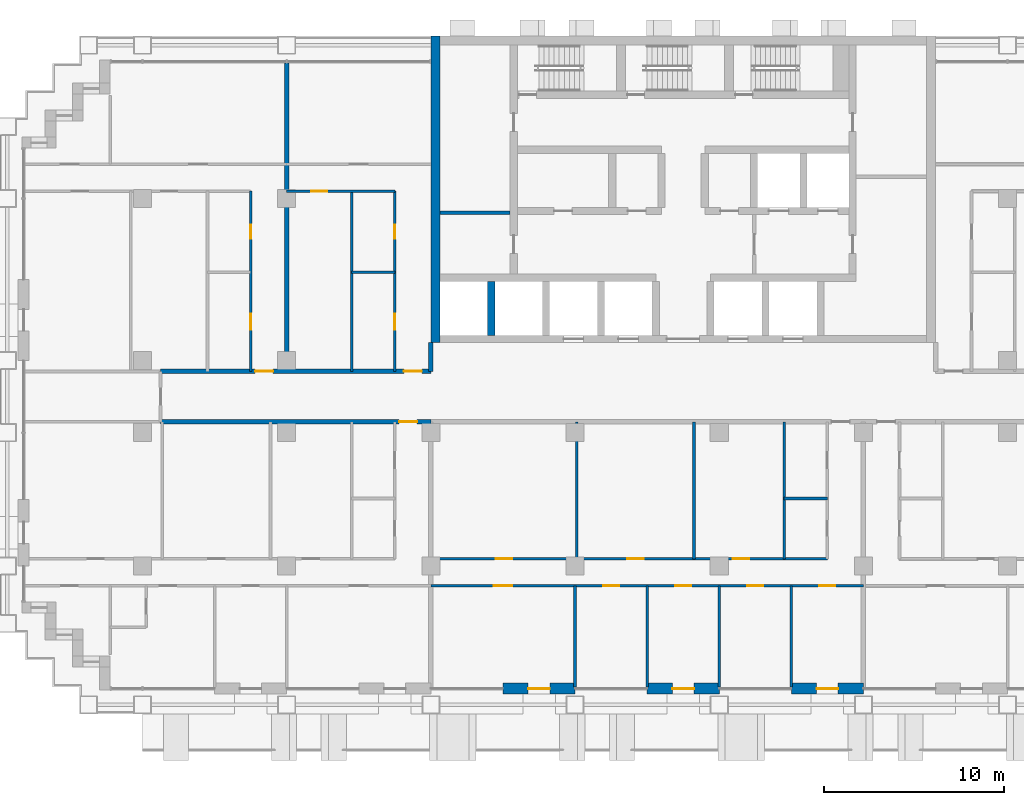
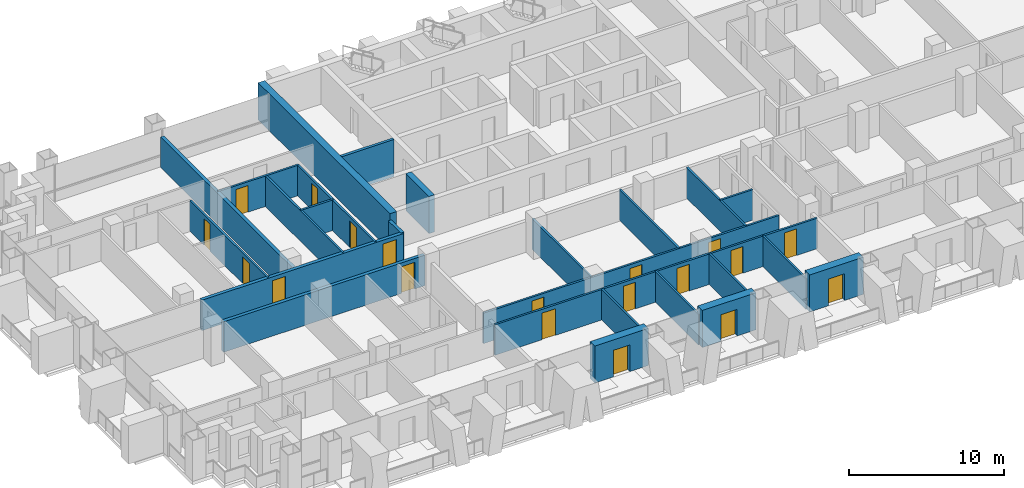
# One storey, part 10 of 18: 25 walls, 19 doors, 19 openings.
"""IFC4 building model written with IfcOpenShell, lengths in metres."""

from ifc_helpers import new_model, si_unit, direction, frame, frame_2d, origin, place, context, subcontext, project, spatial, rectangle, extrude, material, layer, layer_set, type_object, element, fill, save


model = new_model("IFC4")

# Units and contexts
model_context = context("Model", 3, precision=1e-05, world=origin(), true_north=direction((0.0, 1.0)))
body_context = subcontext(model_context, "Body", "Model", "MODEL_VIEW")
ifc_project = project(units=[si_unit("LENGTHUNIT", "METRE"), si_unit("AREAUNIT", "SQUARE_METRE"), si_unit("VOLUMEUNIT", "CUBIC_METRE"), si_unit("PLANEANGLEUNIT", "RADIAN"), si_unit("MASSUNIT", "GRAM", prefix="KILO")], contexts=[model_context])

# Site, building, storey
site_placement = place(None, origin())
site = spatial("IfcSite", under=ifc_project, at=site_placement, CompositionType="ELEMENT")
building_placement = place(site_placement, origin())
building = spatial("IfcBuilding", under=site, at=building_placement, Name="Vidyagriha Tower", CompositionType="ELEMENT")
storey_placement = place(building_placement, frame((0.0, 0.0, 51.199951171875)))
storey = spatial("IfcBuildingStorey", under=building, at=storey_placement, Name="L13", CompositionType="ELEMENT", Elevation=51.199951171875)

# Wall, opening, door
ifc_material_1 = material(Name="Precast concrete C40/50 with brick facing", Category="concrete")
ifc_layer_1 = layer(ifc_material_1, 0.60009765625)
ifc_layer_set_1 = layer_set([ifc_layer_1], Name="Precast concrete C40/50 with brick facing")
wall_type_1 = type_object("IfcWallType", Name="Brick-faced precast wall 600", PredefinedType="STANDARD", material=ifc_layer_set_1)
wall_1_placement = place(storey_placement, frame((-10.0, -16.199951171875, 0.0)))
wall_1 = element("IfcWall", 1, at=wall_1_placement, inside=storey, type_object=wall_type_1, Name="Brick door bay wall L13 R23.7", PredefinedType="STANDARD", context=body_context, shape_type="SweptSolid", body=[
    extrude(rectangle(XDim=4.0, YDim=0.60009765625, at=frame_2d((2.0, 0.0))), origin(), (0.0, 0.0, 1.0), 2.920166015625),
])
opening_1_placement = place(wall_1_placement, frame((1.39990234375, 0.0, 0.0)))
opening_1 = element("IfcOpeningElement", 2, at=opening_1_placement, cuts=wall_1, Name="Opening D13-75", PredefinedType="OPENING", context=body_context, shape_type="SweptSolid", body=[
    extrude(rectangle(XDim=1.199951171875, YDim=2.10009765625, at=frame_2d((0.60009765625, 1.050048828125))), frame((0.0, 0.31005859375, 0.0), z_axis=(0.0, -1.0, 0.0), x_axis=(1.0, 0.0, 0.0)), (0.0, 0.0, 1.0), 0.6201171875),
])
ifc_material_2 = material(Name="Aluminium framed glazed sliding door", Category="aluminium")
door_type_1 = type_object("IfcDoorType", Name="Balcony sliding door 1200x2100", OperationType="NOTDEFINED", PredefinedType="DOOR", material=ifc_material_2)
door_1_placement = place(opening_1_placement, origin())
door_1 = element("IfcDoor", 3, at=door_1_placement, inside=storey, type_object=door_type_1, Name="Door D13-75", OperationType="SLIDING_TO_LEFT", OverallHeight=2.10009765625, OverallWidth=1.199951171875, PredefinedType="DOOR", context=body_context, shape_type="SweptSolid", body=[
    extrude(rectangle(XDim=1.199951171875, YDim=2.10009765625, at=frame_2d((0.60009765625, 1.050048828125))), frame((0.0, 0.02490234375, 0.0), z_axis=(0.0, -1.0, 0.0), x_axis=(1.0, 0.0, 0.0)), (0.0, 0.0, 1.0), 0.050048828125),
])
fill(opening_1, door_1)

wall_2_placement = place(storey_placement, frame((-2.0, -16.199951171875, 0.0)))
wall_2 = element("IfcWall", 4, at=wall_2_placement, inside=storey, type_object=wall_type_1, Name="Brick door bay wall L13 R23.9", PredefinedType="STANDARD", context=body_context, shape_type="SweptSolid", body=[
    extrude(rectangle(XDim=4.0, YDim=0.60009765625, at=frame_2d((2.0, 0.0))), origin(), (0.0, 0.0, 1.0), 2.920166015625),
])
opening_2_placement = place(wall_2_placement, frame((1.39990234375, 0.0, 0.0)))
opening_2 = element("IfcOpeningElement", 5, at=opening_2_placement, cuts=wall_2, Name="Opening D13-76", PredefinedType="OPENING", context=body_context, shape_type="SweptSolid", body=[
    extrude(rectangle(XDim=1.199951171875, YDim=2.10009765625, at=frame_2d((0.60009765625, 1.050048828125))), frame((0.0, 0.31005859375, 0.0), z_axis=(0.0, -1.0, 0.0), x_axis=(1.0, 0.0, 0.0)), (0.0, 0.0, 1.0), 0.6201171875),
])
door_2_placement = place(opening_2_placement, origin())
door_2 = element("IfcDoor", 6, at=door_2_placement, inside=storey, type_object=door_type_1, Name="Door D13-76", OperationType="SLIDING_TO_LEFT", OverallHeight=2.10009765625, OverallWidth=1.199951171875, PredefinedType="DOOR", context=body_context, shape_type="SweptSolid", body=[
    extrude(rectangle(XDim=1.199951171875, YDim=2.10009765625, at=frame_2d((0.60009765625, 1.050048828125))), frame((0.0, 0.02490234375, 0.0), z_axis=(0.0, -1.0, 0.0), x_axis=(1.0, 0.0, 0.0)), (0.0, 0.0, 1.0), 0.050048828125),
])
fill(opening_2, door_2)

wall_3_placement = place(storey_placement, frame((6.0, -16.199951171875, 0.0)))
wall_3 = element("IfcWall", 7, at=wall_3_placement, inside=storey, type_object=wall_type_1, Name="Brick door bay wall L13 R23.11", PredefinedType="STANDARD", context=body_context, shape_type="SweptSolid", body=[
    extrude(rectangle(XDim=4.0, YDim=0.60009765625, at=frame_2d((2.0, 0.0))), origin(), (0.0, 0.0, 1.0), 2.920166015625),
])
opening_3_placement = place(wall_3_placement, frame((1.39990234375, 0.0, 0.0)))
opening_3 = element("IfcOpeningElement", 8, at=opening_3_placement, cuts=wall_3, Name="Opening D13-77", PredefinedType="OPENING", context=body_context, shape_type="SweptSolid", body=[
    extrude(rectangle(XDim=1.199951171875, YDim=2.10009765625, at=frame_2d((0.60009765625, 1.050048828125))), frame((0.0, 0.31005859375, 0.0), z_axis=(0.0, -1.0, 0.0), x_axis=(1.0, 0.0, 0.0)), (0.0, 0.0, 1.0), 0.6201171875),
])
door_3_placement = place(opening_3_placement, origin())
door_3 = element("IfcDoor", 9, at=door_3_placement, inside=storey, type_object=door_type_1, Name="Door D13-77", OperationType="SLIDING_TO_LEFT", OverallHeight=2.10009765625, OverallWidth=1.199951171875, PredefinedType="DOOR", context=body_context, shape_type="SweptSolid", body=[
    extrude(rectangle(XDim=1.199951171875, YDim=2.10009765625, at=frame_2d((0.60009765625, 1.050048828125))), frame((0.0, 0.02490234375, 0.0), z_axis=(0.0, -1.0, 0.0), x_axis=(1.0, 0.0, 0.0)), (0.0, 0.0, 1.0), 0.050048828125),
])
fill(opening_3, door_3)

# Walls
ifc_material_3 = material(Name="Concrete C60/75", Category="concrete")
ifc_layer_2 = layer(ifc_material_3, 0.39990234375)
ifc_layer_set_2 = layer_set([ifc_layer_2], Name="Concrete C60/75")
wall_type_2 = type_object("IfcWallType", Name="Core shear wall 400 mm", PredefinedType="SHEAR", material=ifc_layer_set_2)
wall_4_placement = place(storey_placement, frame((-10.655517578125, 3.39990234375, 0.0), z_axis=(0.0, 0.0, 1.0), x_axis=(0.0, 1.0, 0.0)))
element("IfcWall", 10, at=wall_4_placement, inside=storey, type_object=wall_type_2, Name="Core bay wall S1", PredefinedType="SHEAR", context=body_context, shape_type="SweptSolid", body=[
    extrude(rectangle(XDim=3.0, YDim=0.39990234375, at=frame_2d((1.5, 0.0))), origin(), (0.0, 0.0, 1.0), 2.920166015625),
])
ifc_material_4 = material(Name="Concrete C60/75", Category="concrete")
ifc_layer_3 = layer(ifc_material_4, 0.5)
ifc_layer_set_3 = layer_set([ifc_layer_3], Name="Concrete C60/75")
wall_type_3 = type_object("IfcWallType", Name="Core shear wall 500 mm", PredefinedType="SHEAR", material=ifc_layer_set_3)
wall_5_placement = place(storey_placement, frame((-13.75, 3.0, 0.0), z_axis=(0.0, 0.0, 1.0), x_axis=(0.0, 1.0, 0.0)))
element("IfcWall", 11, at=wall_5_placement, inside=storey, type_object=wall_type_3, Name="Core west wall", PredefinedType="SHEAR", context=body_context, shape_type="SweptSolid", body=[
    extrude(rectangle(XDim=17.0, YDim=0.5, at=frame_2d((8.5, 0.0))), origin(), (0.0, 0.0, 1.0), 2.920166015625),
])

# Wall, opening, door
ifc_material_5 = material(Name="Fired clay brick masonry", Category="masonry")
ifc_layer_4 = layer(ifc_material_5, 0.25)
ifc_layer_set_4 = layer_set([ifc_layer_4], Name="Fired clay brick masonry")
wall_type_4 = type_object("IfcWallType", Name="Fired clay brick corridor wall 250", PredefinedType="PARTITIONING", material=ifc_layer_set_4)
wall_6_placement = place(storey_placement, frame((-14.0, -1.39990234375, 0.0), z_axis=(0.0, 0.0, 1.0), x_axis=(-1.0, 0.0, 0.0)))
wall_6 = element("IfcWall", 12, at=wall_6_placement, inside=storey, type_object=wall_type_4, Name="Wall all-L13-w073", PredefinedType="PARTITIONING", context=body_context, shape_type="SweptSolid", body=[
    extrude(rectangle(XDim=15.0, YDim=0.25, at=frame_2d((7.5, 0.0))), origin(), (0.0, 0.0, 1.0), 2.400146484375),
])
opening_4_placement = place(wall_6_placement, frame((0.760009765625, 0.0, 0.0)))
opening_4 = element("IfcOpeningElement", 13, at=opening_4_placement, cuts=wall_6, Name="Opening D13-23", PredefinedType="OPENING", context=body_context, shape_type="SweptSolid", body=[
    extrude(rectangle(XDim=1.0, YDim=2.10009765625, at=frame_2d((0.5, 1.050048828125))), frame((0.0, 0.135009765625, 0.0), z_axis=(0.0, -1.0, 0.0), x_axis=(1.0, 0.0, 0.0)), (0.0, 0.0, 1.0), 0.27001953125),
])
ifc_material_6 = material(Name="Fire-rated timber door leaf EI 60", Category="wood")
door_type_2 = type_object("IfcDoorType", Name="Flat entrance fire door 1000x2100", OperationType="NOTDEFINED", PredefinedType="DOOR", material=ifc_material_6)
door_4_placement = place(opening_4_placement, origin())
door_4 = element("IfcDoor", 14, at=door_4_placement, inside=storey, type_object=door_type_2, Name="Door D13-23", OperationType="SINGLE_SWING_LEFT", OverallHeight=2.10009765625, OverallWidth=1.0, PredefinedType="DOOR", context=body_context, shape_type="SweptSolid", body=[
    extrude(rectangle(XDim=1.0, YDim=2.10009765625, at=frame_2d((0.5, 1.050048828125))), frame((0.0, 0.02490234375, 0.0), z_axis=(0.0, -1.0, 0.0), x_axis=(1.0, 0.0, 0.0)), (0.0, 0.0, 1.0), 0.050048828125),
])
fill(opening_4, door_4)

# Wall, openings, doors
wall_7_placement = place(storey_placement, frame((-29.0, 1.39990234375, 0.0)))
wall_7 = element("IfcWall", 15, at=wall_7_placement, inside=storey, type_object=wall_type_4, Name="Wall all-L13-w102", PredefinedType="PARTITIONING", context=body_context, shape_type="SweptSolid", body=[
    extrude(rectangle(XDim=15.0, YDim=0.25, at=frame_2d((7.5, 0.0))), origin(), (0.0, 0.0, 1.0), 2.400146484375),
])
opening_5_placement = place(wall_7_placement, frame((5.239990234375, 0.0, 0.0)))
opening_5 = element("IfcOpeningElement", 16, at=opening_5_placement, cuts=wall_7, Name="Opening D13-53", PredefinedType="OPENING", context=body_context, shape_type="SweptSolid", body=[
    extrude(rectangle(XDim=1.0, YDim=2.10009765625, at=frame_2d((0.5, 1.050048828125))), frame((0.0, 0.135009765625, 0.0), z_axis=(0.0, -1.0, 0.0), x_axis=(1.0, 0.0, 0.0)), (0.0, 0.0, 1.0), 0.27001953125),
])
opening_6_placement = place(wall_7_placement, frame((13.5, 0.0, 0.0)))
opening_6 = element("IfcOpeningElement", 17, at=opening_6_placement, cuts=wall_7, Name="Opening D13-58", PredefinedType="OPENING", context=body_context, shape_type="SweptSolid", body=[
    extrude(rectangle(XDim=1.0, YDim=2.10009765625, at=frame_2d((0.5, 1.050048828125))), frame((0.0, 0.135009765625, 0.0), z_axis=(0.0, -1.0, 0.0), x_axis=(1.0, 0.0, 0.0)), (0.0, 0.0, 1.0), 0.27001953125),
])
door_5_placement = place(opening_5_placement, origin())
door_5 = element("IfcDoor", 18, at=door_5_placement, inside=storey, type_object=door_type_2, Name="Door D13-53", OperationType="SINGLE_SWING_RIGHT", OverallHeight=2.10009765625, OverallWidth=1.0, PredefinedType="DOOR", context=body_context, shape_type="SweptSolid", body=[
    extrude(rectangle(XDim=1.0, YDim=2.10009765625, at=frame_2d((0.5, 1.050048828125))), frame((0.0, 0.02490234375, 0.0), z_axis=(0.0, -1.0, 0.0), x_axis=(1.0, 0.0, 0.0)), (0.0, 0.0, 1.0), 0.050048828125),
])
fill(opening_5, door_5)
door_6_placement = place(opening_6_placement, origin())
door_6 = element("IfcDoor", 19, at=door_6_placement, inside=storey, type_object=door_type_2, Name="Door D13-58", OperationType="SINGLE_SWING_RIGHT", OverallHeight=2.10009765625, OverallWidth=1.0, PredefinedType="DOOR", context=body_context, shape_type="SweptSolid", body=[
    extrude(rectangle(XDim=1.0, YDim=2.10009765625, at=frame_2d((0.5, 1.050048828125))), frame((0.0, 0.02490234375, 0.0), z_axis=(0.0, -1.0, 0.0), x_axis=(1.0, 0.0, 0.0)), (0.0, 0.0, 1.0), 0.050048828125),
])
fill(opening_6, door_6)

# Walls
wall_8_placement = place(storey_placement, frame((-14.0, 3.0, 0.0), z_axis=(0.0, 0.0, 1.0), x_axis=(0.0, -1.0, 0.0)))
element("IfcWall", 20, at=wall_8_placement, inside=storey, type_object=wall_type_4, Name="Wall all-L13-w132", PredefinedType="PARTITIONING", context=body_context, shape_type="SweptSolid", body=[
    extrude(rectangle(XDim=1.60009765625, YDim=0.25, at=frame_2d((0.800048828125, 0.0))), origin(), (0.0, 0.0, 1.0), 2.400146484375),
])
ifc_material_7 = material(Name="Fired clay brick masonry", Category="masonry")
ifc_layer_5 = layer(ifc_material_7, 0.25)
ifc_layer_set_5 = layer_set([ifc_layer_5], Name="Fired clay brick masonry")
wall_type_5 = type_object("IfcWallType", Name="Fired clay brick demising wall 250", PredefinedType="PARTITIONING", material=ifc_layer_set_5)
wall_9_placement = place(storey_placement, frame((-22.0, 18.52099609375, 0.0), z_axis=(0.0, 0.0, 1.0), x_axis=(0.0, -1.0, 0.0)))
element("IfcWall", 21, at=wall_9_placement, inside=storey, type_object=wall_type_5, Name="Wall all-L13-w101", PredefinedType="PARTITIONING", context=body_context, shape_type="SweptSolid", body=[
    extrude(rectangle(XDim=17.12109375, YDim=0.25, at=frame_2d((8.560546875, 0.0))), origin(), (0.0, 0.0, 1.0), 2.400146484375),
])
ifc_material_8 = material(Name="Gypsum board partition")
ifc_layer_6 = layer(ifc_material_8, 0.14990234375)
ifc_layer_set_6 = layer_set([ifc_layer_6], Name="Gypsum board partition")
wall_type_6 = type_object("IfcWallType", Name="Gypsum board partition 150", PredefinedType="PARTITIONING", material=ifc_layer_set_6)
wall_10_placement = place(storey_placement, frame((8.0, -5.64990234375, 0.0), z_axis=(0.0, 0.0, 1.0), x_axis=(-1.0, 0.0, 0.0)))
element("IfcWall", 22, at=wall_10_placement, inside=storey, type_object=wall_type_6, Name="Wall all-L13-w027", PredefinedType="PARTITIONING", context=body_context, shape_type="SweptSolid", body=[
    extrude(rectangle(XDim=2.39990234375, YDim=0.14990234375, at=frame_2d((1.199951171875, 0.0))), origin(), (0.0, 0.0, 1.0), 2.400146484375),
])
for number, where, z_axis, x_axis, name in (
    (23, (5.60009765625, -9.0, 0.0), (0.0, 0.0, 1.0), (0.0, 1.0, 0.0), "Wall all-L13-w028"),
    (24, (0.60009765625, -9.0, 0.0), (0.0, 0.0, 1.0), (0.0, 1.0, 0.0), "Wall all-L13-w029"),
    (25, (-5.89990234375, -9.0, 0.0), (0.0, 0.0, 1.0), (0.0, 1.0, 0.0), "Wall all-L13-w030"),
):
    element("IfcWall", number, at=place(storey_placement, frame(where, z_axis=z_axis, x_axis=x_axis)), inside=storey, type_object=wall_type_6, Name=name, PredefinedType="PARTITIONING", context=body_context, shape_type="SweptSolid", body=[
        extrude(rectangle(XDim=7.60009765625, YDim=0.14990234375, at=frame_2d((3.800048828125, 0.0))), origin(), (0.0, 0.0, 1.0), 2.400146484375),
    ])

# Wall, openings, doors
wall_11_placement = place(storey_placement, frame((-14.0, -9.0, 0.0)))
wall_11 = element("IfcWall", 26, at=wall_11_placement, inside=storey, type_object=wall_type_6, Name="Wall all-L13-w031", PredefinedType="PARTITIONING", context=body_context, shape_type="SweptSolid", body=[
    extrude(rectangle(XDim=22.0, YDim=0.14990234375, at=frame_2d((11.0, 0.0))), origin(), (0.0, 0.0, 1.0), 2.400146484375),
])
opening_7_placement = place(wall_11_placement, frame((16.760009765625, 0.0, 0.0)))
opening_7 = element("IfcOpeningElement", 27, at=opening_7_placement, cuts=wall_11, Name="Opening D13-26", PredefinedType="OPENING", context=body_context, shape_type="SweptSolid", body=[
    extrude(rectangle(XDim=0.89990234375, YDim=2.10009765625, at=frame_2d((0.449951171875, 1.050048828125))), frame((0.0, 0.0849609375, 0.0), z_axis=(0.0, -1.0, 0.0), x_axis=(1.0, 0.0, 0.0)), (0.0, 0.0, 1.0), 0.169921875),
])
opening_8_placement = place(wall_11_placement, frame((10.89990234375, 0.0, 0.0)))
opening_8 = element("IfcOpeningElement", 28, at=opening_8_placement, cuts=wall_11, Name="Opening D13-27", PredefinedType="OPENING", context=body_context, shape_type="SweptSolid", body=[
    extrude(rectangle(XDim=0.89990234375, YDim=2.10009765625, at=frame_2d((0.449951171875, 1.050048828125))), frame((0.0, 0.0849609375, 0.0), z_axis=(0.0, -1.0, 0.0), x_axis=(1.0, 0.0, 0.0)), (0.0, 0.0, 1.0), 0.169921875),
])
opening_9_placement = place(wall_11_placement, frame((3.60009765625, 0.0, 0.0)))
opening_9 = element("IfcOpeningElement", 29, at=opening_9_placement, cuts=wall_11, Name="Opening D13-28", PredefinedType="OPENING", context=body_context, shape_type="SweptSolid", body=[
    extrude(rectangle(XDim=0.89990234375, YDim=2.10009765625, at=frame_2d((0.449951171875, 1.050048828125))), frame((0.0, 0.0849609375, 0.0), z_axis=(0.0, -1.0, 0.0), x_axis=(1.0, 0.0, 0.0)), (0.0, 0.0, 1.0), 0.169921875),
])
ifc_material_9 = material(Name="Timber door leaf", Category="wood")
door_type_3 = type_object("IfcDoorType", Name="Room door 900x2100", OperationType="NOTDEFINED", PredefinedType="DOOR", material=ifc_material_9)
door_7_placement = place(opening_7_placement, origin())
door_7 = element("IfcDoor", 30, at=door_7_placement, inside=storey, type_object=door_type_3, Name="Door D13-26", OperationType="SINGLE_SWING_RIGHT", OverallHeight=2.10009765625, OverallWidth=0.89990234375, PredefinedType="DOOR", context=body_context, shape_type="SweptSolid", body=[
    extrude(rectangle(XDim=0.89990234375, YDim=2.10009765625, at=frame_2d((0.449951171875, 1.050048828125))), frame((0.0, 0.02490234375, 0.0), z_axis=(0.0, -1.0, 0.0), x_axis=(1.0, 0.0, 0.0)), (0.0, 0.0, 1.0), 0.050048828125),
])
fill(opening_7, door_7)
door_8_placement = place(opening_8_placement, origin())
door_8 = element("IfcDoor", 31, at=door_8_placement, inside=storey, type_object=door_type_3, Name="Door D13-27", OperationType="SINGLE_SWING_LEFT", OverallHeight=2.10009765625, OverallWidth=0.89990234375, PredefinedType="DOOR", context=body_context, shape_type="SweptSolid", body=[
    extrude(rectangle(XDim=0.89990234375, YDim=2.10009765625, at=frame_2d((0.449951171875, 1.050048828125))), frame((0.0, 0.02490234375, 0.0), z_axis=(0.0, -1.0, 0.0), x_axis=(1.0, 0.0, 0.0)), (0.0, 0.0, 1.0), 0.050048828125),
])
fill(opening_8, door_8)
door_9_placement = place(opening_9_placement, origin())
door_9 = element("IfcDoor", 32, at=door_9_placement, inside=storey, type_object=door_type_3, Name="Door D13-28", OperationType="SINGLE_SWING_RIGHT", OverallHeight=2.10009765625, OverallWidth=0.89990234375, PredefinedType="DOOR", context=body_context, shape_type="SweptSolid", body=[
    extrude(rectangle(XDim=0.89990234375, YDim=2.10009765625, at=frame_2d((0.449951171875, 1.050048828125))), frame((0.0, 0.02490234375, 0.0), z_axis=(0.0, -1.0, 0.0), x_axis=(1.0, 0.0, 0.0)), (0.0, 0.0, 1.0), 0.050048828125),
])
fill(opening_9, door_9)

wall_12_placement = place(storey_placement, frame((10.0, -10.5, 0.0), z_axis=(0.0, 0.0, 1.0), x_axis=(-1.0, 0.0, 0.0)))
wall_12 = element("IfcWall", 33, at=wall_12_placement, inside=storey, type_object=wall_type_6, Name="Wall all-L13-w035", PredefinedType="PARTITIONING", context=body_context, shape_type="SweptSolid", body=[
    extrude(rectangle(XDim=24.0, YDim=0.14990234375, at=frame_2d((12.0, 0.0))), origin(), (0.0, 0.0, 1.0), 2.400146484375),
])
opening_10_placement = place(wall_12_placement, frame((19.5, 0.0, 0.0)))
opening_10 = element("IfcOpeningElement", 34, at=opening_10_placement, cuts=wall_12, Name="Opening D13-29", PredefinedType="OPENING", context=body_context, shape_type="SweptSolid", body=[
    extrude(rectangle(XDim=1.0, YDim=2.10009765625, at=frame_2d((0.5, 1.050048828125))), frame((0.0, 0.0849609375, 0.0), z_axis=(0.0, -1.0, 0.0), x_axis=(1.0, 0.0, 0.0)), (0.0, 0.0, 1.0), 0.169921875),
])
opening_11_placement = place(wall_12_placement, frame((13.550048828125, 0.0, 0.0)))
opening_11 = element("IfcOpeningElement", 35, at=opening_11_placement, cuts=wall_12, Name="Opening D13-30", PredefinedType="OPENING", context=body_context, shape_type="SweptSolid", body=[
    extrude(rectangle(XDim=0.89990234375, YDim=2.10009765625, at=frame_2d((0.449951171875, 1.050048828125))), frame((0.0, 0.0849609375, 0.0), z_axis=(0.0, -1.0, 0.0), x_axis=(1.0, 0.0, 0.0)), (0.0, 0.0, 1.0), 0.169921875),
])
opening_12_placement = place(wall_12_placement, frame((9.550048828125, 0.0, 0.0)))
opening_12 = element("IfcOpeningElement", 36, at=opening_12_placement, cuts=wall_12, Name="Opening D13-31", PredefinedType="OPENING", context=body_context, shape_type="SweptSolid", body=[
    extrude(rectangle(XDim=0.89990234375, YDim=2.10009765625, at=frame_2d((0.449951171875, 1.050048828125))), frame((0.0, 0.0849609375, 0.0), z_axis=(0.0, -1.0, 0.0), x_axis=(1.0, 0.0, 0.0)), (0.0, 0.0, 1.0), 0.169921875),
])
opening_13_placement = place(wall_12_placement, frame((5.550048828125, 0.0, 0.0)))
opening_13 = element("IfcOpeningElement", 37, at=opening_13_placement, cuts=wall_12, Name="Opening D13-32", PredefinedType="OPENING", context=body_context, shape_type="SweptSolid", body=[
    extrude(rectangle(XDim=0.89990234375, YDim=2.10009765625, at=frame_2d((0.449951171875, 1.050048828125))), frame((0.0, 0.0849609375, 0.0), z_axis=(0.0, -1.0, 0.0), x_axis=(1.0, 0.0, 0.0)), (0.0, 0.0, 1.0), 0.169921875),
])
opening_14_placement = place(wall_12_placement, frame((1.550048828125, 0.0, 0.0)))
opening_14 = element("IfcOpeningElement", 38, at=opening_14_placement, cuts=wall_12, Name="Opening D13-33", PredefinedType="OPENING", context=body_context, shape_type="SweptSolid", body=[
    extrude(rectangle(XDim=0.89990234375, YDim=2.10009765625, at=frame_2d((0.449951171875, 1.050048828125))), frame((0.0, 0.0849609375, 0.0), z_axis=(0.0, -1.0, 0.0), x_axis=(1.0, 0.0, 0.0)), (0.0, 0.0, 1.0), 0.169921875),
])
ifc_material_10 = material(Name="Timber door leaf", Category="wood")
door_type_4 = type_object("IfcDoorType", Name="Room door 1000x2100", OperationType="NOTDEFINED", PredefinedType="DOOR", material=ifc_material_10)
door_10_placement = place(opening_10_placement, origin())
door_10 = element("IfcDoor", 39, at=door_10_placement, inside=storey, type_object=door_type_4, Name="Door D13-29", OperationType="SINGLE_SWING_RIGHT", OverallHeight=2.10009765625, OverallWidth=1.0, PredefinedType="DOOR", context=body_context, shape_type="SweptSolid", body=[
    extrude(rectangle(XDim=1.0, YDim=2.10009765625, at=frame_2d((0.5, 1.050048828125))), frame((0.0, 0.02490234375, 0.0), z_axis=(0.0, -1.0, 0.0), x_axis=(1.0, 0.0, 0.0)), (0.0, 0.0, 1.0), 0.050048828125),
])
fill(opening_10, door_10)
door_11_placement = place(opening_11_placement, origin())
door_11 = element("IfcDoor", 40, at=door_11_placement, inside=storey, type_object=door_type_3, Name="Door D13-30", OperationType="SINGLE_SWING_RIGHT", OverallHeight=2.10009765625, OverallWidth=0.89990234375, PredefinedType="DOOR", context=body_context, shape_type="SweptSolid", body=[
    extrude(rectangle(XDim=0.89990234375, YDim=2.10009765625, at=frame_2d((0.449951171875, 1.050048828125))), frame((0.0, 0.02490234375, 0.0), z_axis=(0.0, -1.0, 0.0), x_axis=(1.0, 0.0, 0.0)), (0.0, 0.0, 1.0), 0.050048828125),
])
fill(opening_11, door_11)
door_12_placement = place(opening_12_placement, origin())
door_12 = element("IfcDoor", 41, at=door_12_placement, inside=storey, type_object=door_type_3, Name="Door D13-31", OperationType="SINGLE_SWING_RIGHT", OverallHeight=2.10009765625, OverallWidth=0.89990234375, PredefinedType="DOOR", context=body_context, shape_type="SweptSolid", body=[
    extrude(rectangle(XDim=0.89990234375, YDim=2.10009765625, at=frame_2d((0.449951171875, 1.050048828125))), frame((0.0, 0.02490234375, 0.0), z_axis=(0.0, -1.0, 0.0), x_axis=(1.0, 0.0, 0.0)), (0.0, 0.0, 1.0), 0.050048828125),
])
fill(opening_12, door_12)
door_13_placement = place(opening_13_placement, origin())
door_13 = element("IfcDoor", 42, at=door_13_placement, inside=storey, type_object=door_type_3, Name="Door D13-32", OperationType="SINGLE_SWING_RIGHT", OverallHeight=2.10009765625, OverallWidth=0.89990234375, PredefinedType="DOOR", context=body_context, shape_type="SweptSolid", body=[
    extrude(rectangle(XDim=0.89990234375, YDim=2.10009765625, at=frame_2d((0.449951171875, 1.050048828125))), frame((0.0, 0.02490234375, 0.0), z_axis=(0.0, -1.0, 0.0), x_axis=(1.0, 0.0, 0.0)), (0.0, 0.0, 1.0), 0.050048828125),
])
fill(opening_13, door_13)
door_14_placement = place(opening_14_placement, origin())
door_14 = element("IfcDoor", 43, at=door_14_placement, inside=storey, type_object=door_type_3, Name="Door D13-33", OperationType="SINGLE_SWING_RIGHT", OverallHeight=2.10009765625, OverallWidth=0.89990234375, PredefinedType="DOOR", context=body_context, shape_type="SweptSolid", body=[
    extrude(rectangle(XDim=0.89990234375, YDim=2.10009765625, at=frame_2d((0.449951171875, 1.050048828125))), frame((0.0, 0.02490234375, 0.0), z_axis=(0.0, -1.0, 0.0), x_axis=(1.0, 0.0, 0.0)), (0.0, 0.0, 1.0), 0.050048828125),
])
fill(opening_14, door_14)

# Walls
wall_13_placement = place(storey_placement, frame((-6.0, -10.5, 0.0), z_axis=(0.0, 0.0, 1.0), x_axis=(0.0, -1.0, 0.0)))
element("IfcWall", 44, at=wall_13_placement, inside=storey, type_object=wall_type_6, Name="Wall all-L13-w041", PredefinedType="PARTITIONING", context=body_context, shape_type="SweptSolid", body=[
    extrude(rectangle(XDim=5.610107421875, YDim=0.14990234375, at=frame_2d((2.80517578125, 0.0))), origin(), (0.0, 0.0, 1.0), 2.400146484375),
])
wall_14_placement = place(storey_placement, frame((-2.0, -10.5, 0.0), z_axis=(0.0, 0.0, 1.0), x_axis=(0.0, -1.0, 0.0)))
element("IfcWall", 45, at=wall_14_placement, inside=storey, type_object=wall_type_6, Name="Wall all-L13-w042", PredefinedType="PARTITIONING", context=body_context, shape_type="SweptSolid", body=[
    extrude(rectangle(XDim=5.62109375, YDim=0.14990234375, at=frame_2d((2.810546875, 0.0))), origin(), (0.0, 0.0, 1.0), 2.400146484375),
])
wall_15_placement = place(storey_placement, frame((2.0, -10.5, 0.0), z_axis=(0.0, 0.0, 1.0), x_axis=(0.0, -1.0, 0.0)))
element("IfcWall", 46, at=wall_15_placement, inside=storey, type_object=wall_type_6, Name="Wall all-L13-w043", PredefinedType="PARTITIONING", context=body_context, shape_type="SweptSolid", body=[
    extrude(rectangle(XDim=5.610107421875, YDim=0.14990234375, at=frame_2d((2.80517578125, 0.0))), origin(), (0.0, 0.0, 1.0), 2.400146484375),
])
wall_16_placement = place(storey_placement, frame((6.0, -10.5, 0.0), z_axis=(0.0, 0.0, 1.0), x_axis=(0.0, -1.0, 0.0)))
element("IfcWall", 47, at=wall_16_placement, inside=storey, type_object=wall_type_6, Name="Wall all-L13-w044", PredefinedType="PARTITIONING", context=body_context, shape_type="SweptSolid", body=[
    extrude(rectangle(XDim=5.62109375, YDim=0.14990234375, at=frame_2d((2.810546875, 0.0))), origin(), (0.0, 0.0, 1.0), 2.400146484375),
])
wall_17_placement = place(storey_placement, frame((-18.39990234375, 6.89990234375, 0.0)))
element("IfcWall", 48, at=wall_17_placement, inside=storey, type_object=wall_type_6, Name="Wall all-L13-w094", PredefinedType="PARTITIONING", context=body_context, shape_type="SweptSolid", body=[
    extrude(rectangle(XDim=2.39990234375, YDim=0.14990234375, at=frame_2d((1.199951171875, 0.0))), origin(), (0.0, 0.0, 1.0), 2.400146484375),
])
wall_18_placement = place(storey_placement, frame((-18.39990234375, 1.39990234375, 0.0), z_axis=(0.0, 0.0, 1.0), x_axis=(0.0, 1.0, 0.0)))
element("IfcWall", 49, at=wall_18_placement, inside=storey, type_object=wall_type_6, Name="Wall all-L13-w095", PredefinedType="PARTITIONING", context=body_context, shape_type="SweptSolid", body=[
    extrude(rectangle(XDim=10.0, YDim=0.14990234375, at=frame_2d((5.0, 0.0))), origin(), (0.0, 0.0, 1.0), 2.400146484375),
])

# Wall, opening, door
wall_19_placement = place(storey_placement, frame((-16.0, 11.39990234375, 0.0), z_axis=(0.0, 0.0, 1.0), x_axis=(-1.0, 0.0, 0.0)))
wall_19 = element("IfcWall", 50, at=wall_19_placement, inside=storey, type_object=wall_type_6, Name="Wall all-L13-w096", PredefinedType="PARTITIONING", context=body_context, shape_type="SweptSolid", body=[
    extrude(rectangle(XDim=6.0, YDim=0.14990234375, at=frame_2d((3.0, 0.0))), origin(), (0.0, 0.0, 1.0), 2.400146484375),
])
opening_15_placement = place(wall_19_placement, frame((3.75, 0.0, 0.0)))
opening_15 = element("IfcOpeningElement", 51, at=opening_15_placement, cuts=wall_19, Name="Opening D13-56", PredefinedType="OPENING", context=body_context, shape_type="SweptSolid", body=[
    extrude(rectangle(XDim=0.89990234375, YDim=2.10009765625, at=frame_2d((0.449951171875, 1.050048828125))), frame((0.0, 0.0849609375, 0.0), z_axis=(0.0, -1.0, 0.0), x_axis=(1.0, 0.0, 0.0)), (0.0, 0.0, 1.0), 0.169921875),
])
door_15_placement = place(opening_15_placement, origin())
door_15 = element("IfcDoor", 52, at=door_15_placement, inside=storey, type_object=door_type_3, Name="Door D13-56", OperationType="SINGLE_SWING_RIGHT", OverallHeight=2.10009765625, OverallWidth=0.89990234375, PredefinedType="DOOR", context=body_context, shape_type="SweptSolid", body=[
    extrude(rectangle(XDim=0.89990234375, YDim=2.10009765625, at=frame_2d((0.449951171875, 1.050048828125))), frame((0.0, 0.02490234375, 0.0), z_axis=(0.0, -1.0, 0.0), x_axis=(1.0, 0.0, 0.0)), (0.0, 0.0, 1.0), 0.050048828125),
])
fill(opening_15, door_15)

# Wall, openings, doors
ifc_material_11 = material(Name="Moisture resistant gypsum board partition")
ifc_layer_7 = layer(ifc_material_11, 0.14990234375)
ifc_layer_set_7 = layer_set([ifc_layer_7], Name="Moisture resistant gypsum board partition")
wall_type_7 = type_object("IfcWallType", Name="Gypsum board wet-area partition 150", PredefinedType="PARTITIONING", material=ifc_layer_set_7)
wall_20_placement = place(storey_placement, frame((-24.0, 1.39990234375, 0.0), z_axis=(0.0, 0.0, 1.0), x_axis=(0.0, 1.0, 0.0)))
wall_20 = element("IfcWall", 53, at=wall_20_placement, inside=storey, type_object=wall_type_7, Name="Wall all-L13-w077", PredefinedType="PARTITIONING", context=body_context, shape_type="SweptSolid", body=[
    extrude(rectangle(XDim=10.0, YDim=0.14990234375, at=frame_2d((5.0, 0.0))), origin(), (0.0, 0.0, 1.0), 2.400146484375),
])
opening_16_placement = place(wall_20_placement, frame((2.300048828125, 0.0, 0.0)))
opening_16 = element("IfcOpeningElement", 54, at=opening_16_placement, cuts=wall_20, Name="Opening D13-47", PredefinedType="OPENING", context=body_context, shape_type="SweptSolid", body=[
    extrude(rectangle(XDim=0.89990234375, YDim=2.10009765625, at=frame_2d((0.449951171875, 1.050048828125))), frame((0.0, 0.0849609375, 0.0), z_axis=(0.0, -1.0, 0.0), x_axis=(1.0, 0.0, 0.0)), (0.0, 0.0, 1.0), 0.169921875),
])
opening_17_placement = place(wall_20_placement, frame((7.35009765625, 0.0, 0.0)))
opening_17 = element("IfcOpeningElement", 55, at=opening_17_placement, cuts=wall_20, Name="Opening D13-48", PredefinedType="OPENING", context=body_context, shape_type="SweptSolid", body=[
    extrude(rectangle(XDim=0.800048828125, YDim=2.10009765625, at=frame_2d((0.39990234375, 1.050048828125))), frame((0.0, 0.0849609375, 0.0), z_axis=(0.0, -1.0, 0.0), x_axis=(1.0, 0.0, 0.0)), (0.0, 0.0, 1.0), 0.169921875),
])
ifc_material_12 = material(Name="Timber door leaf", Category="wood")
door_type_5 = type_object("IfcDoorType", Name="Bathroom door 800x2100", OperationType="NOTDEFINED", PredefinedType="DOOR", material=ifc_material_12)
door_16_placement = place(opening_17_placement, origin())
door_16 = element("IfcDoor", 56, at=door_16_placement, inside=storey, type_object=door_type_5, Name="Door D13-48", OperationType="SINGLE_SWING_RIGHT", OverallHeight=2.10009765625, OverallWidth=0.800048828125, PredefinedType="DOOR", context=body_context, shape_type="SweptSolid", body=[
    extrude(rectangle(XDim=0.800048828125, YDim=2.10009765625, at=frame_2d((0.39990234375, 1.050048828125))), frame((0.0, 0.02490234375, 0.0), z_axis=(0.0, -1.0, 0.0), x_axis=(1.0, 0.0, 0.0)), (0.0, 0.0, 1.0), 0.050048828125),
])
fill(opening_17, door_16)
ifc_material_13 = material(Name="Timber door leaf", Category="wood")
door_type_6 = type_object("IfcDoorType", Name="Kitchen door 900x2100", OperationType="NOTDEFINED", PredefinedType="DOOR", material=ifc_material_13)
door_17_placement = place(opening_16_placement, origin())
door_17 = element("IfcDoor", 57, at=door_17_placement, inside=storey, type_object=door_type_6, Name="Door D13-47", OperationType="SINGLE_SWING_RIGHT", OverallHeight=2.10009765625, OverallWidth=0.89990234375, PredefinedType="DOOR", context=body_context, shape_type="SweptSolid", body=[
    extrude(rectangle(XDim=0.89990234375, YDim=2.10009765625, at=frame_2d((0.449951171875, 1.050048828125))), frame((0.0, 0.02490234375, 0.0), z_axis=(0.0, -1.0, 0.0), x_axis=(1.0, 0.0, 0.0)), (0.0, 0.0, 1.0), 0.050048828125),
])
fill(opening_16, door_17)

wall_21_placement = place(storey_placement, frame((-16.0, 1.39990234375, 0.0), z_axis=(0.0, 0.0, 1.0), x_axis=(0.0, 1.0, 0.0)))
wall_21 = element("IfcWall", 58, at=wall_21_placement, inside=storey, type_object=wall_type_7, Name="Wall all-L13-w091", PredefinedType="PARTITIONING", context=body_context, shape_type="SweptSolid", body=[
    extrude(rectangle(XDim=10.0, YDim=0.14990234375, at=frame_2d((5.0, 0.0))), origin(), (0.0, 0.0, 1.0), 2.400146484375),
])
opening_18_placement = place(wall_21_placement, frame((2.300048828125, 0.0, 0.0)))
opening_18 = element("IfcOpeningElement", 59, at=opening_18_placement, cuts=wall_21, Name="Opening D13-54", PredefinedType="OPENING", context=body_context, shape_type="SweptSolid", body=[
    extrude(rectangle(XDim=0.89990234375, YDim=2.10009765625, at=frame_2d((0.449951171875, 1.050048828125))), frame((0.0, 0.0849609375, 0.0), z_axis=(0.0, -1.0, 0.0), x_axis=(1.0, 0.0, 0.0)), (0.0, 0.0, 1.0), 0.169921875),
])
opening_19_placement = place(wall_21_placement, frame((7.35009765625, 0.0, 0.0)))
opening_19 = element("IfcOpeningElement", 60, at=opening_19_placement, cuts=wall_21, Name="Opening D13-55", PredefinedType="OPENING", context=body_context, shape_type="SweptSolid", body=[
    extrude(rectangle(XDim=0.800048828125, YDim=2.10009765625, at=frame_2d((0.39990234375, 1.050048828125))), frame((0.0, 0.0849609375, 0.0), z_axis=(0.0, -1.0, 0.0), x_axis=(1.0, 0.0, 0.0)), (0.0, 0.0, 1.0), 0.169921875),
])
door_18_placement = place(opening_19_placement, origin())
door_18 = element("IfcDoor", 61, at=door_18_placement, inside=storey, type_object=door_type_5, Name="Door D13-55", OperationType="SINGLE_SWING_RIGHT", OverallHeight=2.10009765625, OverallWidth=0.800048828125, PredefinedType="DOOR", context=body_context, shape_type="SweptSolid", body=[
    extrude(rectangle(XDim=0.800048828125, YDim=2.10009765625, at=frame_2d((0.39990234375, 1.050048828125))), frame((0.0, 0.02490234375, 0.0), z_axis=(0.0, -1.0, 0.0), x_axis=(1.0, 0.0, 0.0)), (0.0, 0.0, 1.0), 0.050048828125),
])
fill(opening_19, door_18)
door_19_placement = place(opening_18_placement, origin())
door_19 = element("IfcDoor", 62, at=door_19_placement, inside=storey, type_object=door_type_6, Name="Door D13-54", OperationType="SINGLE_SWING_RIGHT", OverallHeight=2.10009765625, OverallWidth=0.89990234375, PredefinedType="DOOR", context=body_context, shape_type="SweptSolid", body=[
    extrude(rectangle(XDim=0.89990234375, YDim=2.10009765625, at=frame_2d((0.449951171875, 1.050048828125))), frame((0.0, 0.02490234375, 0.0), z_axis=(0.0, -1.0, 0.0), x_axis=(1.0, 0.0, 0.0)), (0.0, 0.0, 1.0), 0.050048828125),
])
fill(opening_18, door_19)

# Wall
ifc_material_14 = material(Name="Blockwork 15 MPa", Category="masonry")
ifc_layer_8 = layer(ifc_material_14, 0.199951171875)
ifc_layer_set_8 = layer_set([ifc_layer_8], Name="Blockwork 15 MPa")
wall_type_8 = type_object("IfcWallType", Name="Service room partition 200 mm", PredefinedType="PARTITIONING", material=ifc_layer_set_8)
wall_22_placement = place(storey_placement, frame((-13.5, 10.199951171875, 0.0)))
element("IfcWall", 63, at=wall_22_placement, inside=storey, type_object=wall_type_8, Name="Core room partition W1", PredefinedType="PARTITIONING", context=body_context, shape_type="SweptSolid", body=[
    extrude(rectangle(XDim=3.89990234375, YDim=0.199951171875, at=frame_2d((1.949951171875, 0.0))), origin(), (0.0, 0.0, 1.0), 2.920166015625),
])

save(model, "model.ifc")
